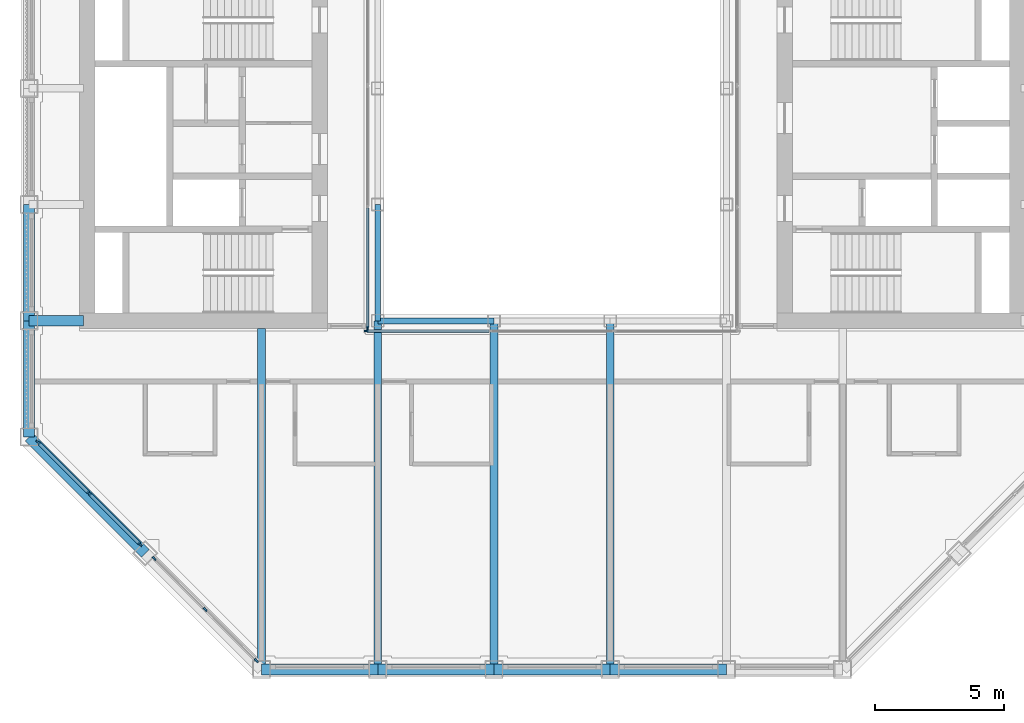
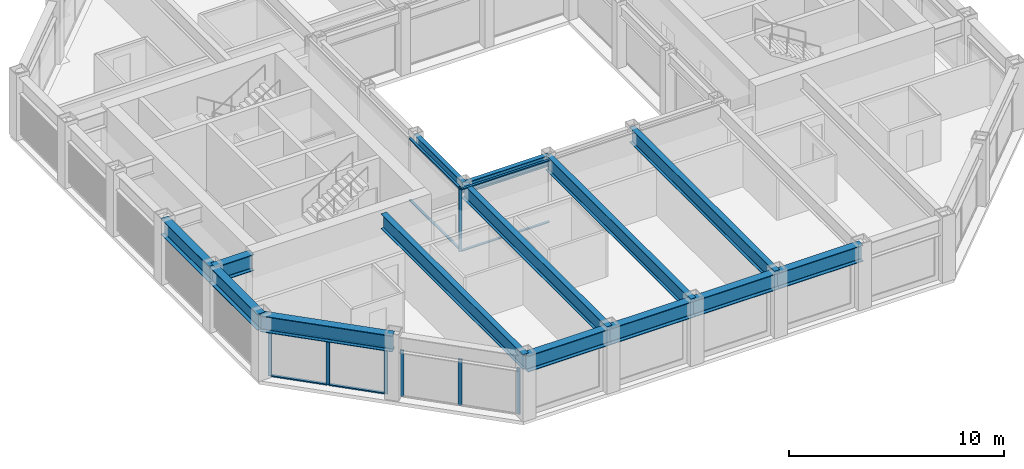
# One storey, part 2 of 16: 16 members, 14 beams, 4 elements without a shape of their own.
"""IFC4 building model written with IfcOpenShell, lengths in metres."""

from ifc_helpers import new_model, si_unit, direction, frame, origin, origin_2d, place, context, subcontext, project, spatial, rectangle, i_section, extrude, material, material_profile, profile_set, type_object, element, aggregate, save


model = new_model("IFC4")

# Units and contexts
model_context = context("Model", 3, precision=1e-05, world=origin(), true_north=direction((0.0, 1.0)))
body_context = subcontext(model_context, "Body", "Model", "MODEL_VIEW")
ifc_project = project(units=[si_unit("LENGTHUNIT", "METRE"), si_unit("AREAUNIT", "SQUARE_METRE"), si_unit("VOLUMEUNIT", "CUBIC_METRE"), si_unit("PLANEANGLEUNIT", "RADIAN"), si_unit("MASSUNIT", "GRAM", prefix="KILO")], contexts=[model_context])

# Site, building, storey
site_placement = place(None, origin())
site = spatial("IfcSite", under=ifc_project, at=site_placement, CompositionType="ELEMENT")
building_placement = place(site_placement, origin())
building = spatial("IfcBuilding", under=site, at=building_placement, Name="Msasa Ring Tower", CompositionType="ELEMENT")
storey_placement = place(building_placement, frame((0.0, 0.0, 212.050048828125)))
storey = spatial("IfcBuildingStorey", under=building, at=storey_placement, Name="L55", CompositionType="ELEMENT", Elevation=212.050048828125)

# Curtain wall, members
ifc_material_1 = material(Name="Aluminium curtain wall with clear glass", Category="aluminium")
curtain_wall_type_1 = type_object("IfcCurtainWallType", Name="CW-C CHAMFER CORNER CURTAIN WALL", PredefinedType="NOTDEFINED", material=ifc_material_1)
curtain_wall_1_placement = place(storey_placement, origin())
curtain_wall_1 = element("IfcCurtainWall", 1, at=curtain_wall_1_placement, inside=storey, type_object=curtain_wall_type_1, Name="Chamfer corner curtain wall SW L55", PredefinedType="NOTDEFINED")
ifc_material_2 = material(Name="Aluminium mullion", Category="aluminium")
ifc_material_profile_1 = material_profile(ifc_material_2, rectangle(XDim=0.06494140625, YDim=0.179931640625, at=origin_2d()), Name="AL 65x180")
ifc_profile_set_1 = profile_set([ifc_material_profile_1], Name="Aluminium mullion")
member_type_1 = type_object("IfcMemberType", Name="CW-C MULLION 65x180", PredefinedType="MULLION", material=ifc_profile_set_1)
member_1_placement = place(storey_placement, frame((-19.9052734375, -11.453369140625, 0.0), z_axis=(0.0, 0.0, 1.0), x_axis=(0.707106781187, 0.707106781187, 0.0)))
member_1 = element("IfcMember", 2, at=member_1_placement, type_object=member_type_1, Name="CW-C mullion 1", PredefinedType="MULLION", context=body_context, shape_type="SweptSolid", body=[
    extrude(rectangle(XDim=0.06494140625, YDim=0.179931640625, at=origin_2d()), origin(), (0.0, 0.0, 1.0), 2.62890625),
])
member_2_placement = place(storey_placement, frame((-17.92919921875, -13.42919921875, 0.0), z_axis=(0.0, 0.0, 1.0), x_axis=(0.707106781187, 0.707106781187, 0.0)))
member_2 = element("IfcMember", 3, at=member_2_placement, type_object=member_type_1, Name="CW-C mullion 2", PredefinedType="MULLION", context=body_context, shape_type="SweptSolid", body=[
    extrude(rectangle(XDim=0.06494140625, YDim=0.179931640625, at=origin_2d()), origin(), (0.0, 0.0, 1.0), 2.62890625),
])
member_3_placement = place(storey_placement, frame((-15.953369140625, -15.4052734375, 0.0), z_axis=(0.0, 0.0, 1.0), x_axis=(0.707106781187, 0.707106781187, 0.0)))
member_3 = element("IfcMember", 4, at=member_3_placement, type_object=member_type_1, Name="CW-C mullion 3", PredefinedType="MULLION", context=body_context, shape_type="SweptSolid", body=[
    extrude(rectangle(XDim=0.06494140625, YDim=0.179931640625, at=origin_2d()), origin(), (0.0, 0.0, 1.0), 2.62890625),
])

curtain_wall_2_placement = place(storey_placement, origin())
curtain_wall_2 = element("IfcCurtainWall", 5, at=curtain_wall_2_placement, inside=storey, type_object=curtain_wall_type_1, Name="Chamfer corner curtain wall SW L55", PredefinedType="NOTDEFINED")
member_4_placement = place(storey_placement, frame((-15.4052734375, -15.953369140625, 0.0), z_axis=(0.0, 0.0, 1.0), x_axis=(0.707106781187, 0.707106781187, 0.0)))
member_4 = element("IfcMember", 6, at=member_4_placement, type_object=member_type_1, Name="CW-C mullion 1", PredefinedType="MULLION", context=body_context, shape_type="SweptSolid", body=[
    extrude(rectangle(XDim=0.06494140625, YDim=0.179931640625, at=origin_2d()), origin(), (0.0, 0.0, 1.0), 2.62890625),
])
member_5_placement = place(storey_placement, frame((-13.42919921875, -17.92919921875, 0.0), z_axis=(0.0, 0.0, 1.0), x_axis=(0.707106781187, 0.707106781187, 0.0)))
member_5 = element("IfcMember", 7, at=member_5_placement, type_object=member_type_1, Name="CW-C mullion 2", PredefinedType="MULLION", context=body_context, shape_type="SweptSolid", body=[
    extrude(rectangle(XDim=0.06494140625, YDim=0.179931640625, at=origin_2d()), origin(), (0.0, 0.0, 1.0), 2.62890625),
])
member_6_placement = place(storey_placement, frame((-11.453369140625, -19.9052734375, 0.0), z_axis=(0.0, 0.0, 1.0), x_axis=(0.707106781187, 0.707106781187, 0.0)))
member_6 = element("IfcMember", 8, at=member_6_placement, type_object=member_type_1, Name="CW-C mullion 3", PredefinedType="MULLION", context=body_context, shape_type="SweptSolid", body=[
    extrude(rectangle(XDim=0.06494140625, YDim=0.179931640625, at=origin_2d()), origin(), (0.0, 0.0, 1.0), 2.62890625),
])
aggregate(curtain_wall_2, [member_4, member_5, member_6])

# Member
ifc_material_3 = material(Name="Aluminium transom", Category="aluminium")
ifc_material_profile_2 = material_profile(ifc_material_3, rectangle(XDim=0.139892578125, YDim=0.06494140625, at=origin_2d()), Name="AL 65x140")
ifc_profile_set_2 = profile_set([ifc_material_profile_2], Name="Aluminium transom")
member_type_2 = type_object("IfcMemberType", Name="CW-C TRANSOM 65x140", PredefinedType="USERDEFINED", material=ifc_profile_set_2)
member_7_placement = place(storey_placement, frame((-19.88232421875, -11.476318359375, 0.032470703125), z_axis=(0.707106781187, -0.707106781187, 0.0), x_axis=(0.707106781187, 0.707106781187, 0.0)))
member_7 = element("IfcMember", 9, at=member_7_placement, type_object=member_type_2, Name="CW-C transom 1.1", ObjectType="TRANSOM", PredefinedType="USERDEFINED", context=body_context, shape_type="SweptSolid", body=[
    extrude(rectangle(XDim=0.139892578125, YDim=0.06494140625, at=origin_2d()), origin(), (0.0, 0.0, 1.0), 2.729248046875),
])

member_8_placement = place(storey_placement, frame((-19.88232421875, -11.476318359375, 2.596435546875), z_axis=(0.707106781187, -0.707106781187, 0.0), x_axis=(0.707106781187, 0.707106781187, 0.0)))
member_8 = element("IfcMember", 10, at=member_8_placement, type_object=member_type_2, Name="CW-C transom 1.2", ObjectType="TRANSOM", PredefinedType="USERDEFINED", context=body_context, shape_type="SweptSolid", body=[
    extrude(rectangle(XDim=0.139892578125, YDim=0.06494140625, at=origin_2d()), origin(), (0.0, 0.0, 1.0), 2.729248046875),
])

member_9_placement = place(storey_placement, frame((-17.90625, -13.452392578125, 0.032470703125), z_axis=(0.707106781187, -0.707106781187, 0.0), x_axis=(0.707106781187, 0.707106781187, 0.0)))
member_9 = element("IfcMember", 11, at=member_9_placement, type_object=member_type_2, Name="CW-C transom 2.1", ObjectType="TRANSOM", PredefinedType="USERDEFINED", context=body_context, shape_type="SweptSolid", body=[
    extrude(rectangle(XDim=0.139892578125, YDim=0.06494140625, at=origin_2d()), origin(), (0.0, 0.0, 1.0), 2.729248046875),
])

member_10_placement = place(storey_placement, frame((-17.90625, -13.452392578125, 2.596435546875), z_axis=(0.707106781187, -0.707106781187, 0.0), x_axis=(0.707106781187, 0.707106781187, 0.0)))
member_10 = element("IfcMember", 12, at=member_10_placement, type_object=member_type_2, Name="CW-C transom 2.2", ObjectType="TRANSOM", PredefinedType="USERDEFINED", context=body_context, shape_type="SweptSolid", body=[
    extrude(rectangle(XDim=0.139892578125, YDim=0.06494140625, at=origin_2d()), origin(), (0.0, 0.0, 1.0), 2.729248046875),
])

aggregate(curtain_wall_1, [member_1, member_2, member_3, member_7, member_8, member_9, member_10])

# Curtain wall, member
ifc_material_4 = material(Name="Aluminium curtain wall with clear glass", Category="aluminium")
curtain_wall_type_2 = type_object("IfcCurtainWallType", Name="CW-W LIGHT WELL CURTAIN WALL", PredefinedType="NOTDEFINED", material=ifc_material_4)
curtain_wall_3_placement = place(storey_placement, origin())
curtain_wall_3 = element("IfcCurtainWall", 13, at=curtain_wall_3_placement, inside=storey, type_object=curtain_wall_type_2, Name="Light well curtain wall S L55", PredefinedType="NOTDEFINED")
ifc_material_5 = material(Name="Aluminium mullion", Category="aluminium")
ifc_material_profile_3 = material_profile(ifc_material_5, rectangle(XDim=0.06005859375, YDim=0.159912109375, at=origin_2d()), Name="AL 60x160")
ifc_profile_set_3 = profile_set([ifc_material_profile_3], Name="Aluminium mullion")
member_type_3 = type_object("IfcMemberType", Name="CW-W MULLION 60x160", PredefinedType="MULLION", material=ifc_profile_set_3)
member_11_placement = place(storey_placement, frame((-7.199951171875, -7.14990234375, 0.0), z_axis=(0.0, 0.0, 1.0), x_axis=(0.0, 1.0, 0.0)))
member_11 = element("IfcMember", 14, at=member_11_placement, type_object=member_type_3, Name="CW-W mullion 1", PredefinedType="MULLION", context=body_context, shape_type="SweptSolid", body=[
    extrude(rectangle(XDim=0.06005859375, YDim=0.159912109375, at=origin_2d()), origin(), (0.0, 0.0, 1.0), 3.550048828125),
])

curtain_wall_4_placement = place(storey_placement, origin())
curtain_wall_4 = element("IfcCurtainWall", 15, at=curtain_wall_4_placement, inside=storey, type_object=curtain_wall_type_2, Name="Light well curtain wall W L55", PredefinedType="NOTDEFINED")
member_12_placement = place(storey_placement, frame((-7.14990234375, -7.0400390625, 0.0), z_axis=(0.0, 0.0, 1.0), x_axis=(-1.0, 0.0, 0.0)))
member_12 = element("IfcMember", 16, at=member_12_placement, type_object=member_type_3, Name="CW-W mullion 1", PredefinedType="MULLION", context=body_context, shape_type="SweptSolid", body=[
    extrude(rectangle(XDim=0.06005859375, YDim=0.159912109375, at=origin_2d()), origin(), (0.0, 0.0, 1.0), 3.550048828125),
])

# Member
ifc_material_6 = material(Name="Aluminium transom", Category="aluminium")
ifc_material_profile_4 = material_profile(ifc_material_6, rectangle(XDim=0.1201171875, YDim=0.06005859375, at=origin_2d()), Name="AL 60x120")
ifc_profile_set_4 = profile_set([ifc_material_profile_4], Name="Aluminium transom")
member_type_4 = type_object("IfcMemberType", Name="CW-W TRANSOM 60x120", PredefinedType="USERDEFINED", material=ifc_profile_set_4)
member_13_placement = place(storey_placement, frame((-7.169921875, -7.14990234375, 0.030029296875), z_axis=(1.0, 0.0, 0.0), x_axis=(0.0, 1.0, 0.0)))
member_13 = element("IfcMember", 17, at=member_13_placement, type_object=member_type_4, Name="CW-W transom 1.1", ObjectType="TRANSOM", PredefinedType="USERDEFINED", context=body_context, shape_type="SweptSolid", body=[
    extrude(rectangle(XDim=0.1201171875, YDim=0.06005859375, at=origin_2d()), origin(), (0.0, 0.0, 1.0), 4.72998046875),
])

member_14_placement = place(storey_placement, frame((-7.169921875, -7.14990234375, 3.52001953125), z_axis=(1.0, 0.0, 0.0), x_axis=(0.0, 1.0, 0.0)))
member_14 = element("IfcMember", 18, at=member_14_placement, type_object=member_type_4, Name="CW-W transom 1.2", ObjectType="TRANSOM", PredefinedType="USERDEFINED", context=body_context, shape_type="SweptSolid", body=[
    extrude(rectangle(XDim=0.1201171875, YDim=0.06005859375, at=origin_2d()), origin(), (0.0, 0.0, 1.0), 4.72998046875),
])

aggregate(curtain_wall_3, [member_11, member_13, member_14])

member_15_placement = place(storey_placement, frame((-7.14990234375, -7.010009765625, 0.030029296875), z_axis=(0.0, 1.0, 0.0), x_axis=(-1.0, 0.0, 0.0)))
member_15 = element("IfcMember", 19, at=member_15_placement, type_object=member_type_4, Name="CW-W transom 1.1", ObjectType="TRANSOM", PredefinedType="USERDEFINED", context=body_context, shape_type="SweptSolid", body=[
    extrude(rectangle(XDim=0.1201171875, YDim=0.06005859375, at=origin_2d()), origin(), (0.0, 0.0, 1.0), 4.623291015625),
])

member_16_placement = place(storey_placement, frame((-7.14990234375, -7.010009765625, 3.52001953125), z_axis=(0.0, 1.0, 0.0), x_axis=(-1.0, 0.0, 0.0)))
member_16 = element("IfcMember", 20, at=member_16_placement, type_object=member_type_4, Name="CW-W transom 1.2", ObjectType="TRANSOM", PredefinedType="USERDEFINED", context=body_context, shape_type="SweptSolid", body=[
    extrude(rectangle(XDim=0.1201171875, YDim=0.06005859375, at=origin_2d()), origin(), (0.0, 0.0, 1.0), 4.623291015625),
])

aggregate(curtain_wall_4, [member_12, member_15, member_16])

# Beams
ifc_material_7 = material(Name="Steel S355", Category="steel")
ifc_material_profile_5 = material_profile(ifc_material_7, i_section(OverallWidth=0.293701171875, OverallDepth=0.850830078125, WebThickness=0.01611328125, FlangeThickness=0.02685546875, FilletRadius=0.017822265625, at=origin_2d()), Name="UB 838x292x226")
ifc_profile_set_5 = profile_set([ifc_material_profile_5], Name="Steel S355")
beam_type_1 = type_object("IfcBeamType", Name="FB5 UB 838x292x226", PredefinedType="BEAM", material=ifc_profile_set_5)
beam_1_placement = place(storey_placement, frame((-11.25, -20.25, 3.12451171875), z_axis=(0.0, 1.0, 0.0), x_axis=(-1.0, 0.0, 0.0)))
element("IfcBeam", 21, at=beam_1_placement, inside=storey, type_object=beam_type_1, Name="Floor beam S-11.25 under L56", PredefinedType="BEAM", context=body_context, shape_type="SweptSolid", body=[
    extrude(i_section(OverallWidth=0.293701171875, OverallDepth=0.850830078125, WebThickness=0.01611328125, FlangeThickness=0.02685546875, FilletRadius=0.017822265625, at=origin_2d()), origin(), (0.0, 0.0, 1.0), 13.199951171875),
])
for number, where, z_axis, x_axis, name in (
    (22, (-6.75, -20.25, 3.12451171875), (0.0, 1.0, 0.0), (-1.0, 0.0, 0.0), "Floor beam S-6.75 under L56"),
    (23, (-2.25, -20.25, 3.12451171875), (0.0, 1.0, 0.0), (-1.0, 0.0, 0.0), "Floor beam S-2.25 under L56"),
    (24, (2.25, -20.25, 3.12451171875), (0.0, 1.0, 0.0), (-1.0, 0.0, 0.0), "Floor beam S+2.25 under L56"),
):
    element("IfcBeam", number, at=place(storey_placement, frame(where, z_axis=z_axis, x_axis=x_axis)), inside=storey, type_object=beam_type_1, Name=name, PredefinedType="BEAM", context=body_context, shape_type="SweptSolid", body=[
        extrude(i_section(OverallWidth=0.293701171875, OverallDepth=0.850830078125, WebThickness=0.01611328125, FlangeThickness=0.02685546875, FilletRadius=0.017822265625, at=origin_2d()), origin(), (0.0, 0.0, 1.0), 13.5),
    ])
ifc_material_8 = material(Name="Steel S355", Category="steel")
ifc_material_profile_6 = material_profile(ifc_material_8, i_section(OverallWidth=0.42041015625, OverallDepth=0.9208984375, WebThickness=0.021484375, FlangeThickness=0.03662109375, FilletRadius=0.024169921875, at=origin_2d()), Name="UB 914x419x388")
ifc_profile_set_6 = profile_set([ifc_material_profile_6], Name="Steel S355")
beam_type_2 = type_object("IfcBeamType", Name="GB1 UB 914x419x388", PredefinedType="BEAM", material=ifc_profile_set_6)
beam_2_placement = place(storey_placement, frame((-18.14990234375, -6.75, 3.08935546875), z_axis=(-1.0, 0.0, 0.0), x_axis=(0.0, -1.0, 0.0)))
element("IfcBeam", 25, at=beam_2_placement, inside=storey, type_object=beam_type_2, Name="Girder W -6.75 under L56", PredefinedType="BEAM", context=body_context, shape_type="SweptSolid", body=[
    extrude(i_section(OverallWidth=0.42041015625, OverallDepth=0.9208984375, WebThickness=0.021484375, FlangeThickness=0.03662109375, FilletRadius=0.024169921875, at=origin_2d()), origin(), (0.0, 0.0, 1.0), 2.10009765625),
])
ifc_material_9 = material(Name="Steel S355", Category="steel")
ifc_material_profile_7 = material_profile(ifc_material_9, i_section(OverallWidth=0.230224609375, OverallDepth=0.6171875, WebThickness=0.01318359375, FlangeThickness=0.022216796875, FilletRadius=0.0126953125, at=origin_2d()), Name="UB 610x229x140")
ifc_profile_set_7 = profile_set([ifc_material_profile_7], Name="Steel S355")
beam_type_3 = type_object("IfcBeamType", Name="RB1 UB 610x229x140", PredefinedType="BEAM", material=ifc_profile_set_7)
for number, where, z_axis, x_axis, name in (
    (26, (-6.75, -2.25, 3.241455078125), (0.0, -1.0, 0.0), (1.0, 0.0, 0.0), "Inner ring beam IR-6.75-2.25 under L56"),
    (27, (-6.75, -6.75, 3.241455078125), (1.0, 0.0, 0.0), (0.0, 1.0, 0.0), "Inner ring beam IR-6.75-6.75 under L56"),
):
    element("IfcBeam", number, at=place(storey_placement, frame(where, z_axis=z_axis, x_axis=x_axis)), inside=storey, type_object=beam_type_3, Name=name, PredefinedType="BEAM", context=body_context, shape_type="SweptSolid", body=[
        extrude(i_section(OverallWidth=0.230224609375, OverallDepth=0.6171875, WebThickness=0.01318359375, FlangeThickness=0.022216796875, FilletRadius=0.0126953125, at=origin_2d()), origin(), (0.0, 0.0, 1.0), 4.5),
    ])
ifc_material_10 = material(Name="Steel S355", Category="steel")
ifc_material_profile_8 = material_profile(ifc_material_10, i_section(OverallWidth=0.42041015625, OverallDepth=0.9208984375, WebThickness=0.021484375, FlangeThickness=0.03662109375, FilletRadius=0.024169921875, at=origin_2d()), Name="UB 914x419x388")
ifc_profile_set_8 = profile_set([ifc_material_profile_8], Name="Steel S355")
beam_type_4 = type_object("IfcBeamType", Name="SB1 UB 914x419x388", PredefinedType="SPANDREL", material=ifc_profile_set_8)
for number, where, z_axis, x_axis, name in (
    (28, (-20.25, -2.25, 3.08935546875), (0.0, -1.0, 0.0), (1.0, 0.0, 0.0), "Spandrel W-2.25 to W-6.75 under L56"),
    (29, (-20.25, -6.75, 3.08935546875), (0.0, -1.0, 0.0), (1.0, 0.0, 0.0), "Spandrel W-6.75 to W-11.25 under L56"),
):
    element("IfcBeam", number, at=place(storey_placement, frame(where, z_axis=z_axis, x_axis=x_axis)), inside=storey, type_object=beam_type_4, Name=name, PredefinedType="SPANDREL", context=body_context, shape_type="SweptSolid", body=[
        extrude(i_section(OverallWidth=0.42041015625, OverallDepth=0.9208984375, WebThickness=0.021484375, FlangeThickness=0.03662109375, FilletRadius=0.024169921875, at=origin_2d()), origin(), (0.0, 0.0, 1.0), 4.5),
    ])
beam_3_placement = place(storey_placement, frame((-20.25, -11.25, 3.08935546875), z_axis=(0.707106781187, -0.707106781187, 0.0), x_axis=(0.707106781187, 0.707106781187, 0.0)))
element("IfcBeam", 30, at=beam_3_placement, inside=storey, type_object=beam_type_4, Name="Spandrel W-11.25 to SW under L56", PredefinedType="SPANDREL", context=body_context, shape_type="SweptSolid", body=[
    extrude(i_section(OverallWidth=0.42041015625, OverallDepth=0.9208984375, WebThickness=0.021484375, FlangeThickness=0.03662109375, FilletRadius=0.024169921875, at=origin_2d()), origin(), (0.0, 0.0, 1.0), 6.364013671875),
])
for number, where, z_axis, x_axis, name in (
    (31, (-11.25, -20.25, 3.08935546875), (1.0, 0.0, 0.0), (0.0, 1.0, 0.0), "Spandrel S-11.25 to S-6.75 under L56"),
    (32, (-6.75, -20.25, 3.08935546875), (1.0, 0.0, 0.0), (0.0, 1.0, 0.0), "Spandrel S-6.75 to S-2.25 under L56"),
    (33, (-2.25, -20.25, 3.08935546875), (1.0, 0.0, 0.0), (0.0, 1.0, 0.0), "Spandrel S-2.25 to S+2.25 under L56"),
    (34, (2.25, -20.25, 3.08935546875), (1.0, 0.0, 0.0), (0.0, 1.0, 0.0), "Spandrel S+2.25 to S+6.75 under L56"),
):
    element("IfcBeam", number, at=place(storey_placement, frame(where, z_axis=z_axis, x_axis=x_axis)), inside=storey, type_object=beam_type_4, Name=name, PredefinedType="SPANDREL", context=body_context, shape_type="SweptSolid", body=[
        extrude(i_section(OverallWidth=0.42041015625, OverallDepth=0.9208984375, WebThickness=0.021484375, FlangeThickness=0.03662109375, FilletRadius=0.024169921875, at=origin_2d()), origin(), (0.0, 0.0, 1.0), 4.5),
    ])

save(model, "model.ifc")
